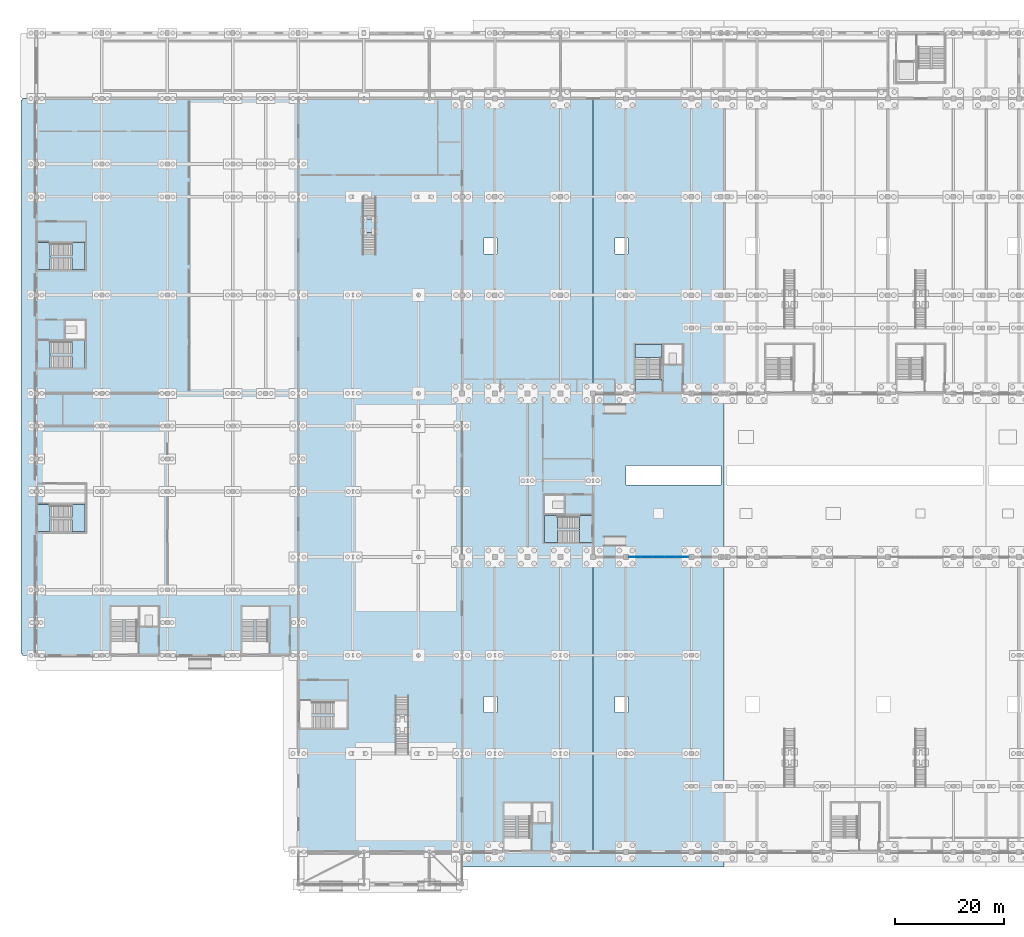
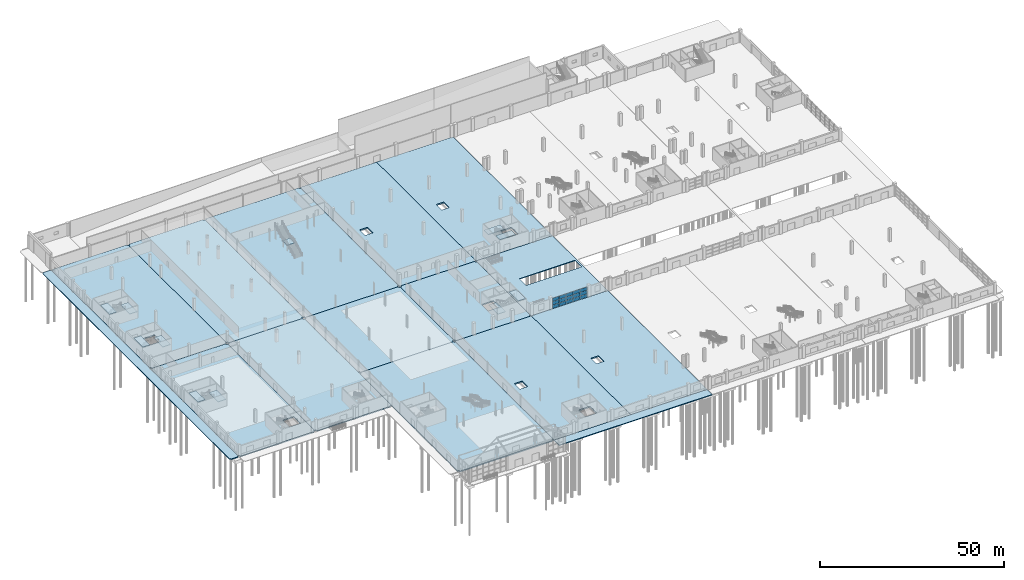
# One storey, part 48 of 77: 26 slabs, 15 plates, 7 elements without a shape of their own.
"""IFC4 building model written with IfcOpenShell, lengths in metres."""

from ifc_helpers import new_model, si_unit, direction, frame, origin, origin_2d, place, context, subcontext, project, spatial, polyline, rectangle, outline, extrude, material, layer, layer_set, type_object, element, aggregate, save


model = new_model("IFC4")

# Units and contexts
model_context = context("Model", 3, precision=1e-05, world=origin(), true_north=direction((0.0, 1.0)))
body_context = subcontext(model_context, "Body", "Model", "MODEL_VIEW")
ifc_project = project(units=[si_unit("LENGTHUNIT", "METRE"), si_unit("AREAUNIT", "SQUARE_METRE"), si_unit("VOLUMEUNIT", "CUBIC_METRE"), si_unit("PLANEANGLEUNIT", "RADIAN"), si_unit("MASSUNIT", "GRAM", prefix="KILO")], contexts=[model_context])

# Site, building, storey
site_placement = place(None, origin())
site = spatial("IfcSite", under=ifc_project, at=site_placement, CompositionType="ELEMENT")
building_placement = place(site_placement, origin())
building = spatial("IfcBuilding", under=site, at=building_placement, Name="Zilviju Railside Exhibition Hall", CompositionType="ELEMENT")
storey_placement = place(building_placement, origin())
storey = spatial("IfcBuildingStorey", under=building, at=storey_placement, Name="L01", CompositionType="ELEMENT", Elevation=0.0)

# Curtain wall, plates
ifc_material_1 = material(Name="Thermally broken aluminium-steel triple-glazed curtain wall", Category="steel")
ifc_layer_1 = layer(ifc_material_1, 0.179931640625)
ifc_layer_set_1 = layer_set([ifc_layer_1], Name="Thermally broken aluminium-steel triple-glazed curtain wall")
curtain_wall_type = type_object("IfcCurtainWallType", Name="CW-BAY-02", PredefinedType="USERDEFINED", material=ifc_layer_set_1)
curtain_wall_placement = place(storey_placement, origin())
curtain_wall = element("IfcCurtainWall", 1, at=curtain_wall_placement, inside=storey, type_object=curtain_wall_type, Name="South Hall Garden Court Curtain Wall L01 (108..120)", ObjectType="GLAZED CURTAIN WALL", PredefinedType="USERDEFINED")
ifc_material_2 = material(Name="Triple-glazed solar-control glass unit", Category="glass")
ifc_layer_2 = layer(ifc_material_2, 0.0380859375)
ifc_layer_set_2 = layer_set([ifc_layer_2], Name="Triple-glazed solar-control glass unit")
plate_type = type_object("IfcPlateType", Name="CWP-IGU-38", PredefinedType="CURTAIN_PANEL", material=ifc_layer_set_2)
plate_1_placement = place(storey_placement, frame((109.65625, 54.0, 0.06494140625), z_axis=(0.0, 0.0, 1.0), x_axis=(1.0, 0.0, 0.0)))
plate_1 = element("IfcPlate", 2, at=plate_1_placement, type_object=plate_type, Name="CW-02 panel 1.1", PredefinedType="CURTAIN_PANEL", context=body_context, shape_type="SweptSolid", body=[
    extrude(rectangle(XDim=2.08251953125, YDim=0.0380859375, at=origin_2d()), origin(), (0.0, 0.0, 1.0), 1.089599609375),
])
plate_2_placement = place(storey_placement, frame((109.65625, 54.0, 1.219482421875), z_axis=(0.0, 0.0, 1.0), x_axis=(1.0, 0.0, 0.0)))
plate_2 = element("IfcPlate", 3, at=plate_2_placement, type_object=plate_type, Name="CW-02 panel 1.2", PredefinedType="CURTAIN_PANEL", context=body_context, shape_type="SweptSolid", body=[
    extrude(rectangle(XDim=2.08251953125, YDim=0.0380859375, at=origin_2d()), origin(), (0.0, 0.0, 1.0), 1.12109375),
])
plate_3_placement = place(storey_placement, frame((109.65625, 54.0, 2.4052734375), z_axis=(0.0, 0.0, 1.0), x_axis=(1.0, 0.0, 0.0)))
plate_3 = element("IfcPlate", 4, at=plate_3_placement, type_object=plate_type, Name="CW-02 panel 1.3", PredefinedType="CURTAIN_PANEL", context=body_context, shape_type="SweptSolid", body=[
    extrude(rectangle(XDim=2.08251953125, YDim=0.0380859375, at=origin_2d()), origin(), (0.0, 0.0, 1.0), 1.089599609375),
])
plate_4_placement = place(storey_placement, frame((111.820068359375, 54.0, 0.06494140625), z_axis=(0.0, 0.0, 1.0), x_axis=(1.0, 0.0, 0.0)))
plate_4 = element("IfcPlate", 5, at=plate_4_placement, type_object=plate_type, Name="CW-02 panel 2.1", PredefinedType="CURTAIN_PANEL", context=body_context, shape_type="SweptSolid", body=[
    extrude(rectangle(XDim=2.114990234375, YDim=0.0380859375, at=origin_2d()), origin(), (0.0, 0.0, 1.0), 1.089599609375),
])
plate_5_placement = place(storey_placement, frame((111.820068359375, 54.0, 1.219482421875), z_axis=(0.0, 0.0, 1.0), x_axis=(1.0, 0.0, 0.0)))
plate_5 = element("IfcPlate", 6, at=plate_5_placement, type_object=plate_type, Name="CW-02 panel 2.2", PredefinedType="CURTAIN_PANEL", context=body_context, shape_type="SweptSolid", body=[
    extrude(rectangle(XDim=2.114990234375, YDim=0.0380859375, at=origin_2d()), origin(), (0.0, 0.0, 1.0), 1.12109375),
])
plate_6_placement = place(storey_placement, frame((111.820068359375, 54.0, 2.4052734375), z_axis=(0.0, 0.0, 1.0), x_axis=(1.0, 0.0, 0.0)))
plate_6 = element("IfcPlate", 7, at=plate_6_placement, type_object=plate_type, Name="CW-02 panel 2.3", PredefinedType="CURTAIN_PANEL", context=body_context, shape_type="SweptSolid", body=[
    extrude(rectangle(XDim=2.114990234375, YDim=0.0380859375, at=origin_2d()), origin(), (0.0, 0.0, 1.0), 1.089599609375),
])
plate_7_placement = place(storey_placement, frame((114.0, 54.0, 0.06494140625), z_axis=(0.0, 0.0, 1.0), x_axis=(1.0, 0.0, 0.0)))
plate_7 = element("IfcPlate", 8, at=plate_7_placement, type_object=plate_type, Name="CW-02 panel 3.1", PredefinedType="CURTAIN_PANEL", context=body_context, shape_type="SweptSolid", body=[
    extrude(rectangle(XDim=2.114990234375, YDim=0.0380859375, at=origin_2d()), origin(), (0.0, 0.0, 1.0), 1.089599609375),
])
plate_8_placement = place(storey_placement, frame((114.0, 54.0, 1.219482421875), z_axis=(0.0, 0.0, 1.0), x_axis=(1.0, 0.0, 0.0)))
plate_8 = element("IfcPlate", 9, at=plate_8_placement, type_object=plate_type, Name="CW-02 panel 3.2", PredefinedType="CURTAIN_PANEL", context=body_context, shape_type="SweptSolid", body=[
    extrude(rectangle(XDim=2.114990234375, YDim=0.0380859375, at=origin_2d()), origin(), (0.0, 0.0, 1.0), 1.12109375),
])
plate_9_placement = place(storey_placement, frame((114.0, 54.0, 2.4052734375), z_axis=(0.0, 0.0, 1.0), x_axis=(1.0, 0.0, 0.0)))
plate_9 = element("IfcPlate", 10, at=plate_9_placement, type_object=plate_type, Name="CW-02 panel 3.3", PredefinedType="CURTAIN_PANEL", context=body_context, shape_type="SweptSolid", body=[
    extrude(rectangle(XDim=2.114990234375, YDim=0.0380859375, at=origin_2d()), origin(), (0.0, 0.0, 1.0), 1.089599609375),
])
plate_10_placement = place(storey_placement, frame((116.179931640625, 54.0, 0.06494140625), z_axis=(0.0, 0.0, 1.0), x_axis=(1.0, 0.0, 0.0)))
plate_10 = element("IfcPlate", 11, at=plate_10_placement, type_object=plate_type, Name="CW-02 panel 4.1", PredefinedType="CURTAIN_PANEL", context=body_context, shape_type="SweptSolid", body=[
    extrude(rectangle(XDim=2.114990234375, YDim=0.0380859375, at=origin_2d()), origin(), (0.0, 0.0, 1.0), 1.089599609375),
])
plate_11_placement = place(storey_placement, frame((116.179931640625, 54.0, 1.219482421875), z_axis=(0.0, 0.0, 1.0), x_axis=(1.0, 0.0, 0.0)))
plate_11 = element("IfcPlate", 12, at=plate_11_placement, type_object=plate_type, Name="CW-02 panel 4.2", PredefinedType="CURTAIN_PANEL", context=body_context, shape_type="SweptSolid", body=[
    extrude(rectangle(XDim=2.114990234375, YDim=0.0380859375, at=origin_2d()), origin(), (0.0, 0.0, 1.0), 1.12109375),
])
plate_12_placement = place(storey_placement, frame((116.179931640625, 54.0, 2.4052734375), z_axis=(0.0, 0.0, 1.0), x_axis=(1.0, 0.0, 0.0)))
plate_12 = element("IfcPlate", 13, at=plate_12_placement, type_object=plate_type, Name="CW-02 panel 4.3", PredefinedType="CURTAIN_PANEL", context=body_context, shape_type="SweptSolid", body=[
    extrude(rectangle(XDim=2.114990234375, YDim=0.0380859375, at=origin_2d()), origin(), (0.0, 0.0, 1.0), 1.089599609375),
])
plate_13_placement = place(storey_placement, frame((118.34375, 54.0, 0.06494140625), z_axis=(0.0, 0.0, 1.0), x_axis=(1.0, 0.0, 0.0)))
plate_13 = element("IfcPlate", 14, at=plate_13_placement, type_object=plate_type, Name="CW-02 panel 5.1", PredefinedType="CURTAIN_PANEL", context=body_context, shape_type="SweptSolid", body=[
    extrude(rectangle(XDim=2.08251953125, YDim=0.0380859375, at=origin_2d()), origin(), (0.0, 0.0, 1.0), 1.089599609375),
])
plate_14_placement = place(storey_placement, frame((118.34375, 54.0, 1.219482421875), z_axis=(0.0, 0.0, 1.0), x_axis=(1.0, 0.0, 0.0)))
plate_14 = element("IfcPlate", 15, at=plate_14_placement, type_object=plate_type, Name="CW-02 panel 5.2", PredefinedType="CURTAIN_PANEL", context=body_context, shape_type="SweptSolid", body=[
    extrude(rectangle(XDim=2.08251953125, YDim=0.0380859375, at=origin_2d()), origin(), (0.0, 0.0, 1.0), 1.12109375),
])
plate_15_placement = place(storey_placement, frame((118.34375, 54.0, 2.4052734375), z_axis=(0.0, 0.0, 1.0), x_axis=(1.0, 0.0, 0.0)))
plate_15 = element("IfcPlate", 16, at=plate_15_placement, type_object=plate_type, Name="CW-02 panel 5.3", PredefinedType="CURTAIN_PANEL", context=body_context, shape_type="SweptSolid", body=[
    extrude(rectangle(XDim=2.08251953125, YDim=0.0380859375, at=origin_2d()), origin(), (0.0, 0.0, 1.0), 1.089599609375),
])
aggregate(curtain_wall, [plate_1, plate_2, plate_3, plate_4, plate_5, plate_6, plate_7, plate_8, plate_9, plate_10, plate_11, plate_12, plate_13, plate_14, plate_15])

# Slabs
ifc_material_3 = material(Name="Concrete C40/50", Category="concrete")
ifc_layer_3 = layer(ifc_material_3, 0.25)
ifc_layer_set_3 = layer_set([ifc_layer_3], Name="Concrete C40/50")
slab_type_1 = type_object("IfcSlabType", Name="SL-BASE-250-EXT", PredefinedType="BASESLAB", material=ifc_layer_set_3)
slab_1_placement = place(storey_placement, frame((0.0, 0.0, -0.25)))
element("IfcSlab", 17, at=slab_1_placement, inside=storey, type_object=slab_type_1, Name="South Exhibition Exit Apron West", PredefinedType="BASESLAB", context=body_context, shape_type="SweptSolid", body=[
    extrude(outline(polyline([(78.0, -2.800048828125), (125.969970703125, -2.800048828125), (125.969970703125, 0.0), (78.0, 0.0), (78.0, -2.800048828125)])), origin(), (0.0, 0.0, 1.0), 0.25),
])
slab_2_placement = place(storey_placement, frame((0.0, 0.0, -0.25)))
element("IfcSlab", 18, at=slab_2_placement, inside=storey, type_object=slab_type_1, Name="Boulevard West Exit Apron", PredefinedType="BASESLAB", context=body_context, shape_type="SweptSolid", body=[
    extrude(outline(polyline([(-2.5, 36.0), (-0.300048828125, 36.0), (-0.300048828125, 36.300048828125), (0.0, 36.300048828125), (0.0, 137.699951171875), (-0.300048828125, 137.699951171875), (-0.300048828125, 138.0), (-2.5, 138.0), (-2.5, 137.699951171875), (-2.800048828125, 137.699951171875), (-2.800048828125, 36.300048828125), (-2.5, 36.300048828125), (-2.5, 36.0)])), origin(), (0.0, 0.0, 1.0), 0.25),
])
slab_3_placement = place(storey_placement, frame((0.0, 0.0, -0.25)))
element("IfcSlab", 19, at=slab_3_placement, inside=storey, type_object=slab_type_1, Name="Central Water-Channel Garden Court Paving West", PredefinedType="BASESLAB", context=body_context, shape_type="SweptSolid", body=[
    extrude(outline(polyline([(102.0, 54.0), (125.969970703125, 54.0), (125.969970703125, 84.0), (102.0, 84.0), (102.0, 54.0)]), holes=[polyline([(108.0, 67.199951171875), (125.469970703125, 67.199951171875), (125.469970703125, 70.800048828125), (108.0, 70.800048828125), (108.0, 67.199951171875)])]), origin(), (0.0, 0.0, 1.0), 0.25),
])
ifc_material_4 = material(Name="Concrete C35/45", Category="concrete")
ifc_layer_4 = layer(ifc_material_4, 0.360107421875)
ifc_layer_set_4 = layer_set([ifc_layer_4], Name="Concrete C35/45")
slab_type_2 = type_object("IfcSlabType", Name="SL-BASE-360", PredefinedType="BASESLAB", material=ifc_layer_set_4)
slab_4_placement = place(storey_placement, frame((0.0, 0.0, -0.360107421875)))
element("IfcSlab", 20, at=slab_4_placement, inside=storey, type_object=slab_type_2, Name="Winter Concourse Base Slab 1", PredefinedType="BASESLAB", context=body_context, shape_type="SweptSolid", body=[
    extrude(outline(polyline([(48.449951171875, 0.0), (77.550048828125, 0.0), (77.550048828125, 0.449951171875), (78.0, 0.449951171875), (78.0, 53.550048828125), (77.550048828125, 53.550048828125), (77.550048828125, 54.0), (48.449951171875, 54.0), (48.449951171875, 53.550048828125), (48.0, 53.550048828125), (48.0, 0.449951171875), (48.449951171875, 0.449951171875), (48.449951171875, 0.0)])), origin(), (0.0, 0.0, 1.0), 0.360107421875),
])
slab_5_placement = place(storey_placement, frame((0.0, 0.0, -0.360107421875)))
element("IfcSlab", 21, at=slab_5_placement, inside=storey, type_object=slab_type_2, Name="Winter Concourse Base Slab 2", PredefinedType="BASESLAB", context=body_context, shape_type="SweptSolid", body=[
    extrude(outline(polyline([(48.449951171875, 54.0), (77.550048828125, 54.0), (77.550048828125, 54.449951171875), (78.0, 54.449951171875), (78.0, 83.550048828125), (77.550048828125, 83.550048828125), (77.550048828125, 84.0), (48.449951171875, 84.0), (48.449951171875, 83.550048828125), (48.0, 83.550048828125), (48.0, 54.449951171875), (48.449951171875, 54.449951171875), (48.449951171875, 54.0)])), origin(), (0.0, 0.0, 1.0), 0.360107421875),
])
slab_6_placement = place(storey_placement, frame((0.0, 0.0, -0.360107421875)))
element("IfcSlab", 22, at=slab_6_placement, inside=storey, type_object=slab_type_2, Name="Winter Concourse Base Slab 3", PredefinedType="BASESLAB", context=body_context, shape_type="SweptSolid", body=[
    extrude(outline(polyline([(48.449951171875, 84.0), (77.550048828125, 84.0), (77.550048828125, 84.449951171875), (78.0, 84.449951171875), (78.0, 137.550048828125), (77.550048828125, 137.550048828125), (77.550048828125, 138.0), (48.449951171875, 138.0), (48.449951171875, 137.550048828125), (48.0, 137.550048828125), (48.0, 84.449951171875), (48.449951171875, 84.449951171875), (48.449951171875, 84.0)])), origin(), (0.0, 0.0, 1.0), 0.360107421875),
])
slab_7_placement = place(storey_placement, frame((0.0, 0.0, -0.360107421875)))
element("IfcSlab", 23, at=slab_7_placement, inside=storey, type_object=slab_type_2, Name="Winter Concourse Court Pavilion Base Slab", PredefinedType="BASESLAB", context=body_context, shape_type="SweptSolid", body=[
    extrude(outline(polyline([(78.449951171875, 54.0), (101.550048828125, 54.0), (101.550048828125, 54.449951171875), (102.0, 54.449951171875), (102.0, 83.550048828125), (101.550048828125, 83.550048828125), (101.550048828125, 84.0), (78.449951171875, 84.0), (78.449951171875, 83.550048828125), (78.0, 83.550048828125), (78.0, 54.449951171875), (78.449951171875, 54.449951171875), (78.449951171875, 54.0)]), holes=[polyline([(93.050048828125, 61.89990234375), (96.699951171875, 61.89990234375), (96.699951171875, 65.35009765625), (93.050048828125, 65.35009765625), (93.050048828125, 61.89990234375)])]), origin(), (0.0, 0.0, 1.0), 0.360107421875),
])
slab_8_placement = place(storey_placement, frame((0.0, 0.0, -0.360107421875)))
element("IfcSlab", 24, at=slab_8_placement, inside=storey, type_object=slab_type_2, Name="Congress West Foyer Base Slab", PredefinedType="BASESLAB", context=body_context, shape_type="SweptSolid", body=[
    extrude(outline(polyline([(0.449951171875, 36.0), (23.550048828125, 36.0), (23.550048828125, 36.449951171875), (24.0, 36.449951171875), (24.0, 83.550048828125), (23.550048828125, 83.550048828125), (23.550048828125, 84.0), (0.449951171875, 84.0), (0.449951171875, 83.550048828125), (0.0, 83.550048828125), (0.0, 36.449951171875), (0.449951171875, 36.449951171875), (0.449951171875, 36.0)]), holes=[polyline([(18.89990234375, 41.300048828125), (22.35009765625, 41.300048828125), (22.35009765625, 44.949951171875), (18.89990234375, 44.949951171875), (18.89990234375, 41.300048828125)])]), origin(), (0.0, 0.0, 1.0), 0.360107421875),
])
slab_9_placement = place(storey_placement, frame((0.0, 0.0, -0.360107421875)))
element("IfcSlab", 25, at=slab_9_placement, inside=storey, type_object=slab_type_2, Name="Congress Symposium Hall Base Slab", PredefinedType="BASESLAB", context=body_context, shape_type="SweptSolid", body=[
    extrude(outline(polyline([(24.449951171875, 36.0), (47.550048828125, 36.0), (47.550048828125, 36.449951171875), (48.0, 36.449951171875), (48.0, 83.550048828125), (47.550048828125, 83.550048828125), (47.550048828125, 84.0), (24.449951171875, 84.0), (24.449951171875, 83.550048828125), (24.0, 83.550048828125), (24.0, 36.449951171875), (24.449951171875, 36.449951171875), (24.449951171875, 36.0)])), origin(), (0.0, 0.0, 1.0), 0.360107421875),
])
slab_10_placement = place(storey_placement, frame((0.0, 0.0, -0.360107421875)))
element("IfcSlab", 26, at=slab_10_placement, inside=storey, type_object=slab_type_2, Name="Organisers Wing West Base Slab", PredefinedType="BASESLAB", context=body_context, shape_type="SweptSolid", body=[
    extrude(outline(polyline([(0.449951171875, 84.0), (23.550048828125, 84.0), (23.550048828125, 84.449951171875), (24.0, 84.449951171875), (24.0, 137.550048828125), (23.550048828125, 137.550048828125), (23.550048828125, 138.0), (0.449951171875, 138.0), (0.449951171875, 137.550048828125), (0.0, 137.550048828125), (0.0, 84.449951171875), (0.449951171875, 84.449951171875), (0.449951171875, 84.0)]), holes=[polyline([(5.300048828125, 93.89990234375), (8.949951171875, 93.89990234375), (8.949951171875, 97.35009765625), (5.300048828125, 97.35009765625), (5.300048828125, 93.89990234375)])]), origin(), (0.0, 0.0, 1.0), 0.360107421875),
])
slab_11_placement = place(storey_placement, frame((0.0, 0.0, -0.360107421875)))
element("IfcSlab", 27, at=slab_11_placement, inside=storey, type_object=slab_type_2, Name="Organisers Wing East Base Slab", PredefinedType="BASESLAB", context=body_context, shape_type="SweptSolid", body=[
    extrude(outline(polyline([(24.449951171875, 84.0), (47.550048828125, 84.0), (47.550048828125, 84.449951171875), (48.0, 84.449951171875), (48.0, 137.550048828125), (47.550048828125, 137.550048828125), (47.550048828125, 138.0), (24.449951171875, 138.0), (24.449951171875, 137.550048828125), (24.0, 137.550048828125), (24.0, 84.449951171875), (24.449951171875, 84.449951171875), (24.449951171875, 84.0)])), origin(), (0.0, 0.0, 1.0), 0.360107421875),
])
ifc_layer_5 = layer(ifc_material_3, 0.419921875)
ifc_layer_set_5 = layer_set([ifc_layer_5], Name="Concrete C40/50")
slab_type_3 = type_object("IfcSlabType", Name="SL-BASE-420", PredefinedType="BASESLAB", material=ifc_layer_set_5)
slab_12_placement = place(storey_placement, frame((0.0, 0.0, -0.419921875)))
element("IfcSlab", 28, at=slab_12_placement, inside=storey, type_object=slab_type_3, Name="South Hall Base Slab Panel 1", PredefinedType="BASESLAB", context=body_context, shape_type="SweptSolid", body=[
    extrude(outline(polyline([(78.0, 0.0), (102.0, 0.0), (102.0, 54.0), (78.0, 54.0), (78.0, 0.0)]), holes=[polyline([(82.0, 25.5), (84.39990234375, 25.5), (84.39990234375, 28.5), (82.0, 28.5), (82.0, 25.5)]), polyline([(90.89990234375, 5.300048828125), (94.35009765625, 5.300048828125), (94.35009765625, 8.949951171875), (90.89990234375, 8.949951171875), (90.89990234375, 5.300048828125)])]), origin(), (0.0, 0.0, 1.0), 0.419921875),
])
slab_13_placement = place(storey_placement, frame((0.0, 0.0, -0.419921875)))
element("IfcSlab", 29, at=slab_13_placement, inside=storey, type_object=slab_type_3, Name="North Hall Base Slab Panel 1", PredefinedType="BASESLAB", context=body_context, shape_type="SweptSolid", body=[
    extrude(outline(polyline([(78.0, 84.0), (102.0, 84.0), (102.0, 138.0), (78.0, 138.0), (78.0, 84.0)]), holes=[polyline([(82.0, 109.5), (84.39990234375, 109.5), (84.39990234375, 112.5), (82.0, 112.5), (82.0, 109.5)])]), origin(), (0.0, 0.0, 1.0), 0.419921875),
])
slab_14_placement = place(storey_placement, frame((0.0, 0.0, -0.419921875)))
element("IfcSlab", 30, at=slab_14_placement, inside=storey, type_object=slab_type_3, Name="South Hall Base Slab Panel 2", PredefinedType="BASESLAB", context=body_context, shape_type="SweptSolid", body=[
    extrude(outline(polyline([(102.0, 0.0), (125.969970703125, 0.0), (125.969970703125, 54.0), (102.0, 54.0), (102.0, 0.0)]), holes=[polyline([(106.0, 25.5), (108.39990234375, 25.5), (108.39990234375, 28.5), (106.0, 28.5), (106.0, 25.5)])]), origin(), (0.0, 0.0, 1.0), 0.419921875),
])
slab_15_placement = place(storey_placement, frame((0.0, 0.0, -0.419921875)))
element("IfcSlab", 31, at=slab_15_placement, inside=storey, type_object=slab_type_3, Name="North Hall Base Slab Panel 2", PredefinedType="BASESLAB", context=body_context, shape_type="SweptSolid", body=[
    extrude(outline(polyline([(102.0, 84.0), (125.969970703125, 84.0), (125.969970703125, 138.0), (102.0, 138.0), (102.0, 84.0)]), holes=[polyline([(106.0, 109.5), (108.39990234375, 109.5), (108.39990234375, 112.5), (106.0, 112.5), (106.0, 109.5)]), polyline([(114.89990234375, 89.300048828125), (118.35009765625, 89.300048828125), (118.35009765625, 92.949951171875), (114.89990234375, 92.949951171875), (114.89990234375, 89.300048828125)])]), origin(), (0.0, 0.0, 1.0), 0.419921875),
])

# Stair, slabs
stair_type_1 = type_object("IfcStairType", Name="STAIR-ST-A", PredefinedType="HALF_TURN_STAIR", material=ifc_material_4)
stair_1_placement = place(storey_placement, origin())
stair_1 = element("IfcStair", 32, at=stair_1_placement, inside=storey, type_object=stair_type_1, Name="Core C04 North Hall Court West Exit Stair L01", PredefinedType="HALF_TURN_STAIR")
ifc_layer_6 = layer(ifc_material_4, 0.199951171875)
ifc_layer_set_6 = layer_set([ifc_layer_6], Name="Concrete C35/45")
slab_type_4 = type_object("IfcSlabType", Name="SL-LAND-200", PredefinedType="LANDING", material=ifc_layer_set_6)
slab_16_placement = place(storey_placement, frame((0.0, 0.0, 1.89990234375)))
slab_16 = element("IfcSlab", 33, at=slab_16_placement, type_object=slab_type_4, Name="ST-04 landing 1", PredefinedType="LANDING", context=body_context, shape_type="SweptSolid", body=[
    extrude(outline(polyline([(109.64990234375, 90.530029296875), (114.64990234375, 90.530029296875), (114.64990234375, 92.949951171875), (109.64990234375, 92.949951171875), (109.64990234375, 90.530029296875)])), origin(), (0.0, 0.0, 1.0), 0.2001953125),
])
slab_17_placement = place(storey_placement, frame((0.0, 0.0, 4.0)))
slab_17 = element("IfcSlab", 34, at=slab_17_placement, type_object=slab_type_4, Name="ST-04 landing 2", PredefinedType="LANDING", context=body_context, shape_type="SweptSolid", body=[
    extrude(outline(polyline([(109.64990234375, 84.25), (114.64990234375, 84.25), (114.64990234375, 86.5), (109.64990234375, 86.5), (109.64990234375, 84.25)])), origin(), (0.0, 0.0, 1.0), 0.199951171875),
])
aggregate(stair_1, [slab_16, slab_17])

stair_2_placement = place(storey_placement, origin())
stair_2 = element("IfcStair", 35, at=stair_2_placement, inside=storey, type_object=stair_type_1, Name="Core C10 Winter Concourse Court Exit Stair L01", PredefinedType="HALF_TURN_STAIR")
slab_18_placement = place(storey_placement, frame((0.0, 0.0, 1.89990234375)))
slab_18 = element("IfcSlab", 36, at=slab_18_placement, type_object=slab_type_4, Name="ST-10 landing 1", PredefinedType="LANDING", context=body_context, shape_type="SweptSolid", body=[
    extrude(outline(polyline([(95.469970703125, 56.64990234375), (95.469970703125, 61.64990234375), (93.050048828125, 61.64990234375), (93.050048828125, 56.64990234375), (95.469970703125, 56.64990234375)])), origin(), (0.0, 0.0, 1.0), 0.2001953125),
])
slab_19_placement = place(storey_placement, frame((0.0, 0.0, 4.0)))
slab_19 = element("IfcSlab", 37, at=slab_19_placement, type_object=slab_type_4, Name="ST-10 landing 2", PredefinedType="LANDING", context=body_context, shape_type="SweptSolid", body=[
    extrude(outline(polyline([(101.75, 56.64990234375), (101.75, 61.64990234375), (99.5, 61.64990234375), (99.5, 56.64990234375), (101.75, 56.64990234375)])), origin(), (0.0, 0.0, 1.0), 0.199951171875),
])
aggregate(stair_2, [slab_18, slab_19])

stair_type_2 = type_object("IfcStairType", Name="STAIR-ST-B", PredefinedType="HALF_TURN_STAIR", material=ifc_material_4)
stair_3_placement = place(storey_placement, origin())
stair_3 = element("IfcStair", 38, at=stair_3_placement, inside=storey, type_object=stair_type_2, Name="Core C14 Congress Plenary West Exit Stair L01", PredefinedType="HALF_TURN_STAIR")
slab_20_placement = place(storey_placement, frame((0.0, 0.0, 1.89990234375)))
slab_20 = element("IfcSlab", 39, at=slab_20_placement, type_object=slab_type_4, Name="ST-14 landing 1", PredefinedType="LANDING", context=body_context, shape_type="SweptSolid", body=[
    extrude(outline(polyline([(6.530029296875, 58.64990234375), (6.530029296875, 63.64990234375), (8.949951171875, 63.64990234375), (8.949951171875, 58.64990234375), (6.530029296875, 58.64990234375)])), origin(), (0.0, 0.0, 1.0), 0.2001953125),
])
slab_21_placement = place(storey_placement, frame((0.0, 0.0, 4.0)))
slab_21 = element("IfcSlab", 40, at=slab_21_placement, type_object=slab_type_4, Name="ST-14 landing 2", PredefinedType="LANDING", context=body_context, shape_type="SweptSolid", body=[
    extrude(outline(polyline([(0.25, 58.64990234375), (0.25, 63.64990234375), (2.5, 63.64990234375), (2.5, 58.64990234375), (0.25, 58.64990234375)])), origin(), (0.0, 0.0, 1.0), 0.199951171875),
])
aggregate(stair_3, [slab_20, slab_21])

stair_type_3 = type_object("IfcStairType", Name="STAIR-ST-C", PredefinedType="HALF_TURN_STAIR", material=ifc_material_4)
stair_4_placement = place(storey_placement, origin())
stair_4 = element("IfcStair", 41, at=stair_4_placement, inside=storey, type_object=stair_type_3, Name="Core C15 Organisers Wing South Exit Stair L01", PredefinedType="HALF_TURN_STAIR")
slab_22_placement = place(storey_placement, frame((0.0, 0.0, 1.89990234375)))
slab_22 = element("IfcSlab", 42, at=slab_22_placement, type_object=slab_type_4, Name="ST-15 landing 1", PredefinedType="LANDING", context=body_context, shape_type="SweptSolid", body=[
    extrude(outline(polyline([(6.530029296875, 88.64990234375), (6.530029296875, 93.64990234375), (8.949951171875, 93.64990234375), (8.949951171875, 88.64990234375), (6.530029296875, 88.64990234375)])), origin(), (0.0, 0.0, 1.0), 0.2001953125),
])
slab_23_placement = place(storey_placement, frame((0.0, 0.0, 4.0)))
slab_23 = element("IfcSlab", 43, at=slab_23_placement, type_object=slab_type_4, Name="ST-15 landing 2", PredefinedType="LANDING", context=body_context, shape_type="SweptSolid", body=[
    extrude(outline(polyline([(0.25, 88.64990234375), (0.25, 93.64990234375), (2.5, 93.64990234375), (2.5, 88.64990234375), (0.25, 88.64990234375)])), origin(), (0.0, 0.0, 1.0), 0.199951171875),
])
aggregate(stair_4, [slab_22, slab_23])

stair_5_placement = place(storey_placement, origin())
stair_5 = element("IfcStair", 44, at=stair_5_placement, inside=storey, type_object=stair_type_1, Name="Core C16 Organisers Wing North Exit Stair L01", PredefinedType="HALF_TURN_STAIR")
slab_24_placement = place(storey_placement, frame((0.0, 0.0, 1.89990234375)))
slab_24 = element("IfcSlab", 45, at=slab_24_placement, type_object=slab_type_4, Name="ST-16 landing 1", PredefinedType="LANDING", context=body_context, shape_type="SweptSolid", body=[
    extrude(outline(polyline([(6.530029296875, 106.64990234375), (6.530029296875, 111.64990234375), (8.949951171875, 111.64990234375), (8.949951171875, 106.64990234375), (6.530029296875, 106.64990234375)])), origin(), (0.0, 0.0, 1.0), 0.2001953125),
])
slab_25_placement = place(storey_placement, frame((0.0, 0.0, 4.0)))
slab_25 = element("IfcSlab", 46, at=slab_25_placement, type_object=slab_type_4, Name="ST-16 landing 2", PredefinedType="LANDING", context=body_context, shape_type="SweptSolid", body=[
    extrude(outline(polyline([(0.25, 106.64990234375), (0.25, 111.64990234375), (2.5, 111.64990234375), (2.5, 106.64990234375), (0.25, 106.64990234375)])), origin(), (0.0, 0.0, 1.0), 0.199951171875),
])
aggregate(stair_5, [slab_24, slab_25])

# Stair, slab
stair_type_4 = type_object("IfcStairType", Name="STAIR-ST-FEAT1", PredefinedType="STRAIGHT_RUN_STAIR", material=ifc_material_4)
stair_6_placement = place(storey_placement, origin())
stair_6 = element("IfcStair", 47, at=stair_6_placement, inside=storey, type_object=stair_type_4, Name="Grand Straight Feature Stair ST-18", PredefinedType="STRAIGHT_RUN_STAIR")
slab_26_placement = place(storey_placement, frame((0.0, 0.0, 1.89990234375)))
slab_26 = element("IfcSlab", 48, at=slab_26_placement, type_object=slab_type_4, Name="ST-18 landing 1", PredefinedType="LANDING", context=body_context, shape_type="SweptSolid", body=[
    extrude(outline(polyline([(59.800048828125, 113.469970703125), (62.199951171875, 113.469970703125), (62.199951171875, 115.969970703125), (59.800048828125, 115.969970703125), (59.800048828125, 113.469970703125)])), origin(), (0.0, 0.0, 1.0), 0.2001953125),
])
aggregate(stair_6, [slab_26])

save(model, "model.ifc")
